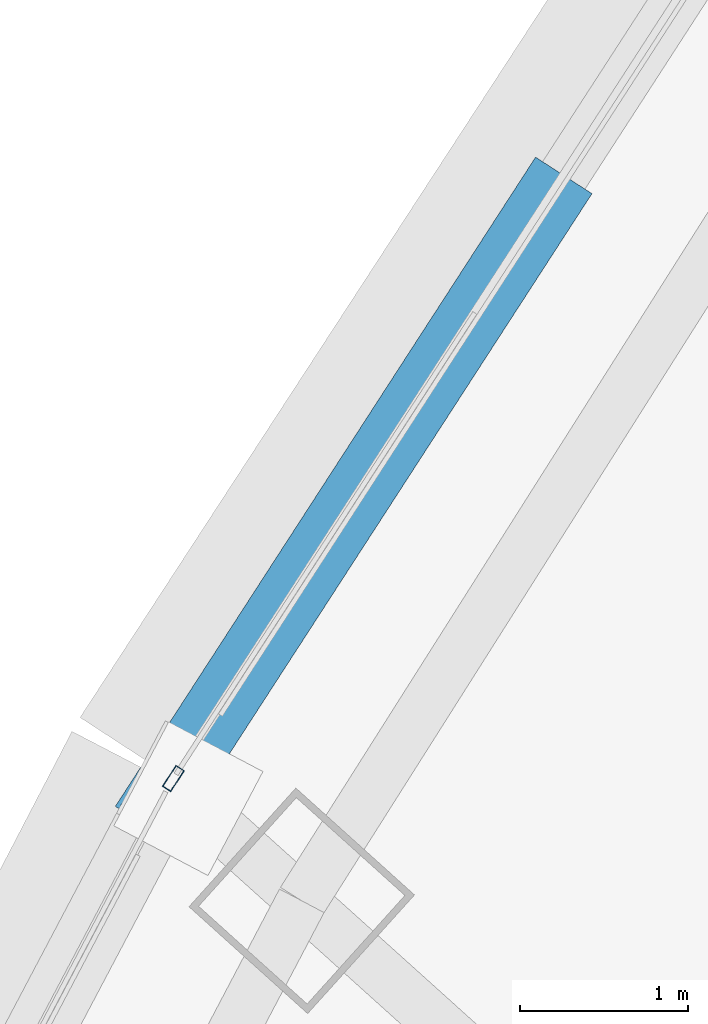
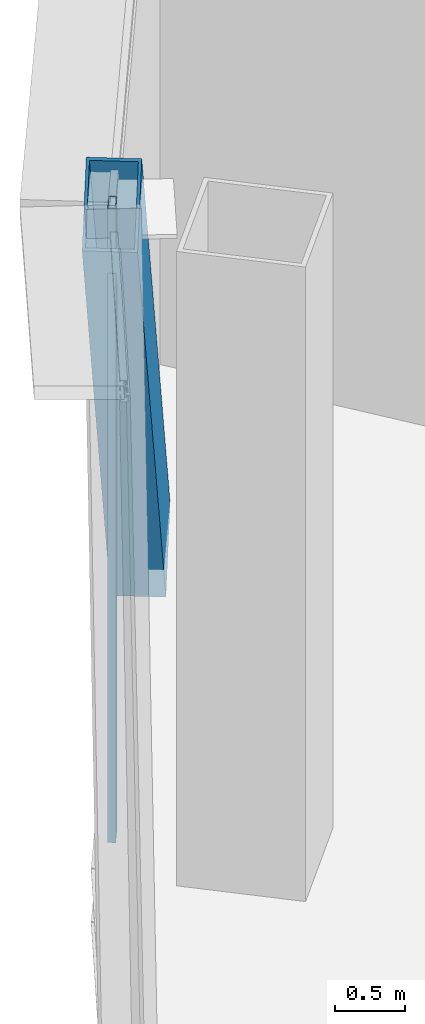
# One storey, part 16 of 40: 2 members, 1 element without a shape of its own.
"""IFC4 building model written with IfcOpenShell, lengths in metres."""

from ifc_helpers import new_model, si_unit, direction, frame, origin, origin_2d, place, context, subcontext, project, spatial, hollow_rectangle, extrude, source, transform, mapped, material, layer, layer_set, material_profile, profile_set, type_object, element, aggregate, save


model = new_model("IFC4")

# Units and contexts
model_context = context("Model", 3, precision=1e-05, world=origin(), true_north=direction((0.0, 1.0)))
body_context = subcontext(model_context, "Body", "Model", "MODEL_VIEW")
ifc_project = project(units=[si_unit("LENGTHUNIT", "METRE"), si_unit("AREAUNIT", "SQUARE_METRE"), si_unit("VOLUMEUNIT", "CUBIC_METRE"), si_unit("PLANEANGLEUNIT", "RADIAN"), si_unit("MASSUNIT", "GRAM", prefix="KILO"), si_unit("THERMODYNAMICTEMPERATUREUNIT", "KELVIN"), si_unit("POWERUNIT", "WATT")], contexts=[model_context])

# Site, building, storey
site_placement = place(None, origin())
site = spatial("IfcSite", under=ifc_project, at=site_placement, CompositionType="ELEMENT")
building_placement = place(site_placement, origin())
building = spatial("IfcBuilding", under=site, at=building_placement, Name="Yunzhuo Pagoda Commons", CompositionType="ELEMENT")
storey_placement = place(building_placement, frame((0.0, 0.0, 170.31005859375)))
storey = spatial("IfcBuildingStorey", under=building, at=storey_placement, Name="L43", CompositionType="ELEMENT", Elevation=170.31005859375)

# Member
ifc_material_1 = material(Name="Structural steel Q355B", Category="steel")
ifc_material_profile_1 = material_profile(ifc_material_1, hollow_rectangle(XDim=0.39990234375, YDim=0.719970703125, WallThickness=0.02392578125, at=origin_2d()), Name="Structural steel Q355B")
ifc_profile_set_1 = profile_set([ifc_material_profile_1], Name="Structural steel Q355B")
member_type_1 = type_object("IfcMemberType", Name="M-DL2 Brace BOX 720x400x24", PredefinedType="BRACE", material=ifc_profile_set_1)
shared_shape_1 = source(origin(), body_context, "Body", "SweptSolid", [
    extrude(hollow_rectangle(XDim=0.39990234375, YDim=0.719970703125, WallThickness=0.02392578125, at=origin_2d()), origin(), (0.0, 0.0, 1.0), 7.074951171875),
])
member_1_placement = place(storey_placement, frame((25.6318359375, 59.166748046875, -0.260009765625), z_axis=(-0.30787860019, -0.475621020669, 0.824011779189), x_axis=(0.839470464787, -0.54340531719, 0.0)))
element("IfcMember", 1, at=member_1_placement, inside=storey, type_object=member_type_1, Name="L43 facade diamond brace F3.1R", PredefinedType="BRACE", context=body_context, shape_type="MappedRepresentation", body=[
    mapped(shared_shape_1, transform((0.0, 0.0, 0.0), scale=1.0)),
])

# Curtain wall, member
ifc_material_2 = material(Name="Anodized aluminium 6063-T6", Category="aluminium")
ifc_layer = layer(ifc_material_2, 0.14990234375)
ifc_layer_set = layer_set([ifc_layer], Name="Anodized aluminium 6063-T6")
curtain_wall_type = type_object("IfcCurtainWallType", Name="CW-MID Mid-Zone Ribbon Curtain Wall", PredefinedType="NOTDEFINED", material=ifc_layer_set)
curtain_wall_placement = place(storey_placement, origin())
curtain_wall = element("IfcCurtainWall", 2, at=curtain_wall_placement, inside=storey, type_object=curtain_wall_type, Name="L43 curtain wall CW-L43-F3B2", PredefinedType="NOTDEFINED")
ifc_material_profile_2 = material_profile(ifc_material_2, hollow_rectangle(XDim=0.06005859375, YDim=0.14990234375, WallThickness=0.00390625, at=origin_2d()), Name="Anodized aluminium 6063-T6")
ifc_profile_set_2 = profile_set([ifc_material_profile_2], Name="Anodized aluminium 6063-T6")
member_type_2 = type_object("IfcMemberType", Name="CW-MID-M Mullion RHS 150x60x4", PredefinedType="MULLION", material=ifc_profile_set_2)
shared_shape_2 = source(origin(), body_context, "Body", "SweptSolid", [
    extrude(hollow_rectangle(XDim=0.06005859375, YDim=0.14990234375, WallThickness=0.00390625, at=origin_2d()), origin(), (0.0, 0.0, 1.0), 5.56982421875),
])
member_2_placement = place(storey_placement, frame((23.469970703125, 55.826904296875, 0.0), z_axis=(0.0, 0.0, 1.0), x_axis=(0.839466065689, -0.543412113002, 0.0)))
member_2 = element("IfcMember", 3, at=member_2_placement, type_object=member_type_2, Name="CW mullion 2", PredefinedType="MULLION", context=body_context, shape_type="MappedRepresentation", body=[
    mapped(shared_shape_2, transform((0.0, 0.0, 0.0), scale=1.0)),
])
aggregate(curtain_wall, [member_2])

save(model, "model.ifc")
